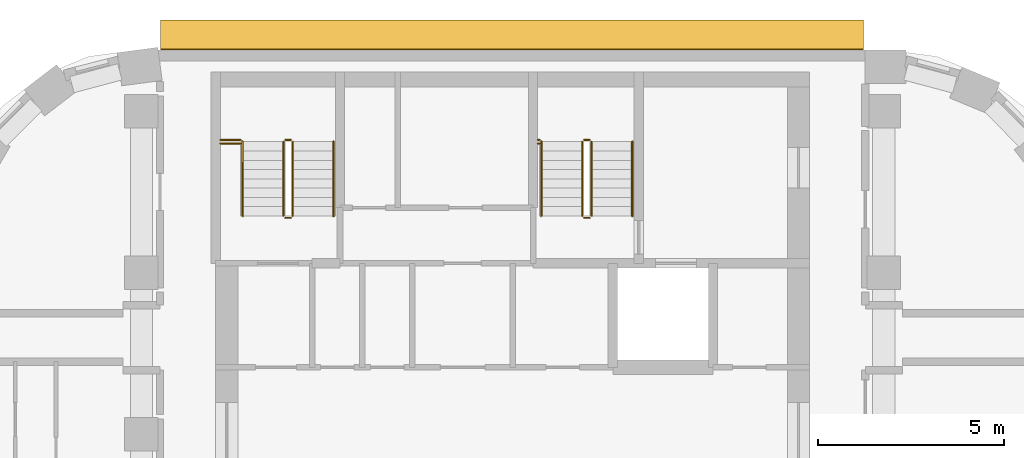
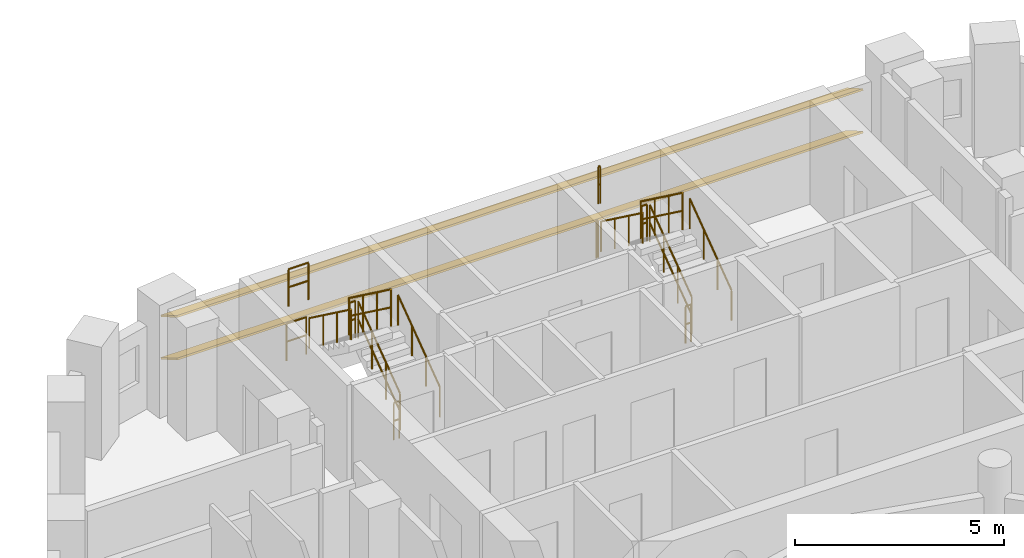
# One storey, part 14 of 14: 16 railings, 2 shading devices.
"""IFC4 building model written with IfcOpenShell, lengths in metres."""

from ifc_helpers import new_model, si_unit, direction, frame, origin, origin_2d, place, context, subcontext, project, spatial, rectangle, circle, extrude, material, material_profile, profile_set, type_object, element, save


model = new_model("IFC4")

# Units and contexts
model_context = context("Model", 3, precision=1e-05, world=origin(), true_north=direction((0.0, 1.0)))
body_context = subcontext(model_context, "Body", "Model", "MODEL_VIEW")
ifc_project = project(units=[si_unit("LENGTHUNIT", "METRE"), si_unit("AREAUNIT", "SQUARE_METRE"), si_unit("VOLUMEUNIT", "CUBIC_METRE"), si_unit("PLANEANGLEUNIT", "RADIAN"), si_unit("MASSUNIT", "GRAM", prefix="KILO")], contexts=[model_context])

# Site, building, storey
site_placement = place(None, origin())
site = spatial("IfcSite", under=ifc_project, at=site_placement, CompositionType="ELEMENT")
building_placement = place(site_placement, origin())
building = spatial("IfcBuilding", under=site, at=building_placement, Name="Nakaniwa Court", CompositionType="ELEMENT")
storey_placement = place(building_placement, frame((0.0, 0.0, 265.800048828125)))
storey = spatial("IfcBuildingStorey", under=building, at=storey_placement, Name="L70", CompositionType="ELEMENT", Elevation=265.800048828125)

# Shading devices
ifc_material_1 = material(Name="Perforated charcoal ceramic louvre blade")
ifc_material_profile = material_profile(ifc_material_1, rectangle(XDim=0.89990234375, YDim=0.050048828125, at=origin_2d()), Name="Perforated ceramic louvre blade")
ifc_profile_set = profile_set([ifc_material_profile], Name="Perforated charcoal ceramic louvre blade")
shading_device_type = type_object("IfcShadingDeviceType", Name="Perforated ceramic louvre blade", PredefinedType="JALOUSIE", material=ifc_profile_set)
for number, where, z_axis, x_axis, name in (
    (1, (89.44921875, 103.05224609375, 0.550048828125), (-1.0, 0.0, 0.0), (0.0, -0.866025403784, 0.5), "L70 perforated ceramic louvre blade w08 1"),
    (2, (89.44921875, 103.05224609375, 1.793212890625), (-1.0, 0.0, 0.0), (0.0, -0.866025403784, 0.5), "L70 perforated ceramic louvre blade w08 2"),
):
    element("IfcShadingDevice", number, at=place(storey_placement, frame(where, z_axis=z_axis, x_axis=x_axis)), inside=storey, type_object=shading_device_type, Name=name, PredefinedType="JALOUSIE", context=body_context, shape_type="SweptSolid", body=[
        extrude(rectangle(XDim=0.89990234375, YDim=0.050048828125, at=origin_2d()), origin(), (0.0, 0.0, 1.0), 18.933349609375),
    ])

# Railings
ifc_material_2 = material(Name="Black powder coated steel guard", Category="steel")
railing_type_1 = type_object("IfcRailingType", Name="Stair guard 1100", PredefinedType="GUARDRAIL", material=ifc_material_2)
railing_1_placement = place(storey_placement, frame((74.074951171875, 98.175048828125, 0.183349609375)))
element("IfcRailing", 3, at=railing_1_placement, inside=storey, type_object=railing_type_1, Name="L70 ST1 stair guard 1", PredefinedType="GUARDRAIL", context=body_context, shape_type="SweptSolid", body=[
    extrude(circle(Radius=0.02392578125, at=origin_2d()), frame((0.0, 0.0, 1.076171875), z_axis=(0.0, 0.806426902644, 0.591333789573), x_axis=(-1.0, 0.0, 0.0)), (0.0, 0.0, 1.0), 2.47998046875),
    extrude(circle(Radius=0.02392578125, at=origin_2d()), frame((0.0, 0.0, 0.550048828125), z_axis=(0.0, 0.806426902644, 0.591333789573), x_axis=(-1.0, 0.0, 0.0)), (0.0, 0.0, 1.0), 2.47998046875),
    extrude(circle(Radius=0.02099609375, at=origin_2d()), origin(), (0.0, 0.0, 1.0), 1.052001953125),
    extrude(circle(Radius=0.02099609375, at=origin_2d()), frame((0.0, 0.666748046875, 0.48876953125)), (0.0, 0.0, 1.0), 1.052001953125),
    extrude(circle(Radius=0.02099609375, at=origin_2d()), frame((0.0, 1.333251953125, 0.977783203125)), (0.0, 0.0, 1.0), 1.052001953125),
    extrude(circle(Radius=0.02099609375, at=origin_2d()), frame((0.0, 2.0, 1.466552734375)), (0.0, 0.0, 1.0), 1.052001953125),
])
railing_2_placement = place(storey_placement, frame((74.02490234375, 100.22509765625, 1.64990234375)))
element("IfcRailing", 4, at=railing_2_placement, inside=storey, type_object=railing_type_1, Name="L70 ST1 stair guard 2", PredefinedType="GUARDRAIL", context=body_context, shape_type="SweptSolid", body=[
    extrude(circle(Radius=0.02392578125, at=origin_2d()), frame((0.0, 0.0, 1.076171875), z_axis=(-1.0, 0.0, 0.0), x_axis=(0.0, -1.0, 0.0)), (0.0, 0.0, 1.0), 0.14990234375),
    extrude(circle(Radius=0.02392578125, at=origin_2d()), frame((0.0, 0.0, 0.550048828125), z_axis=(-1.0, 0.0, 0.0), x_axis=(0.0, -1.0, 0.0)), (0.0, 0.0, 1.0), 0.14990234375),
    extrude(circle(Radius=0.02099609375, at=origin_2d()), origin(), (0.0, 0.0, 1.0), 1.052001953125),
    extrude(circle(Radius=0.02099609375, at=origin_2d()), frame((-0.14990234375, 0.0, 0.0)), (0.0, 0.0, 1.0), 1.052001953125),
])
railing_3_placement = place(storey_placement, frame((73.824951171875, 100.175048828125, 1.833251953125)))
element("IfcRailing", 5, at=railing_3_placement, inside=storey, type_object=railing_type_1, Name="L70 ST1 stair guard 3", PredefinedType="GUARDRAIL", context=body_context, shape_type="SweptSolid", body=[
    extrude(circle(Radius=0.02392578125, at=origin_2d()), frame((0.0, 0.0, 1.076171875), z_axis=(0.0, -0.806379959628, 0.591397802423), x_axis=(1.0, 0.0, 0.0)), (0.0, 0.0, 1.0), 2.480224609375),
    extrude(circle(Radius=0.02392578125, at=origin_2d()), frame((0.0, 0.0, 0.550048828125), z_axis=(0.0, -0.806379959628, 0.591397802423), x_axis=(1.0, 0.0, 0.0)), (0.0, 0.0, 1.0), 2.480224609375),
    extrude(circle(Radius=0.02099609375, at=origin_2d()), origin(), (0.0, 0.0, 1.0), 1.052001953125),
    extrude(circle(Radius=0.02099609375, at=origin_2d()), frame((0.0, -0.666748046875, 0.489013671875)), (0.0, 0.0, 1.0), 1.052001953125),
    extrude(circle(Radius=0.02099609375, at=origin_2d()), frame((0.0, -1.333251953125, 0.977783203125)), (0.0, 0.0, 1.0), 1.052001953125),
    extrude(circle(Radius=0.02099609375, at=origin_2d()), frame((0.0, -2.0, 1.466796875)), (0.0, 0.0, 1.0), 1.052001953125),
])
railing_4_placement = place(storey_placement, frame((74.02490234375, 98.125, 0.0)))
element("IfcRailing", 6, at=railing_4_placement, inside=storey, type_object=railing_type_1, Name="L70 ST1 stair guard 4", PredefinedType="GUARDRAIL", context=body_context, shape_type="SweptSolid", body=[
    extrude(circle(Radius=0.02392578125, at=origin_2d()), frame((0.0, 0.0, 1.076171875), z_axis=(-1.0, 0.0, 0.0), x_axis=(0.0, -1.0, 0.0)), (0.0, 0.0, 1.0), 0.14990234375),
    extrude(circle(Radius=0.02392578125, at=origin_2d()), frame((0.0, 0.0, 0.550048828125), z_axis=(-1.0, 0.0, 0.0), x_axis=(0.0, -1.0, 0.0)), (0.0, 0.0, 1.0), 0.14990234375),
    extrude(circle(Radius=0.02099609375, at=origin_2d()), origin(), (0.0, 0.0, 1.0), 1.052001953125),
    extrude(circle(Radius=0.02099609375, at=origin_2d()), frame((-0.14990234375, 0.0, 0.0)), (0.0, 0.0, 1.0), 1.052001953125),
])
for number, where, name in (
    (7, (72.125, 100.22509765625, 1.64990234375), "L70 ST1 landing side guard 1W"),
    (8, (72.125, 100.125, 3.300048828125), "L70 ST1 floor edge guard 1W"),
):
    element("IfcRailing", number, at=place(storey_placement, frame(where)), inside=storey, type_object=railing_type_1, Name=name, PredefinedType="GUARDRAIL", context=body_context, shape_type="SweptSolid", body=[
        extrude(circle(Radius=0.02392578125, at=origin_2d()), frame((0.0, 0.0, 1.076171875), z_axis=(1.0, 0.0, 0.0), x_axis=(0.0, 1.0, 0.0)), (0.0, 0.0, 1.0), 0.550048828125),
        extrude(circle(Radius=0.02392578125, at=origin_2d()), frame((0.0, 0.0, 0.550048828125), z_axis=(1.0, 0.0, 0.0), x_axis=(0.0, 1.0, 0.0)), (0.0, 0.0, 1.0), 0.550048828125),
        extrude(circle(Radius=0.02099609375, at=origin_2d()), origin(), (0.0, 0.0, 1.0), 1.052001953125),
        extrude(circle(Radius=0.02099609375, at=origin_2d()), frame((0.550048828125, 0.0, 0.0)), (0.0, 0.0, 1.0), 1.052001953125),
    ])
railing_5_placement = place(storey_placement, frame((82.125, 98.175048828125, 0.183349609375)))
element("IfcRailing", 9, at=railing_5_placement, inside=storey, type_object=railing_type_1, Name="L70 ST2 stair guard 1", PredefinedType="GUARDRAIL", context=body_context, shape_type="SweptSolid", body=[
    extrude(circle(Radius=0.02392578125, at=origin_2d()), frame((0.0, 0.0, 1.076171875), z_axis=(0.0, 0.806426902644, 0.591333789573), x_axis=(-1.0, 0.0, 0.0)), (0.0, 0.0, 1.0), 2.47998046875),
    extrude(circle(Radius=0.02392578125, at=origin_2d()), frame((0.0, 0.0, 0.550048828125), z_axis=(0.0, 0.806426902644, 0.591333789573), x_axis=(-1.0, 0.0, 0.0)), (0.0, 0.0, 1.0), 2.47998046875),
    extrude(circle(Radius=0.02099609375, at=origin_2d()), origin(), (0.0, 0.0, 1.0), 1.052001953125),
    extrude(circle(Radius=0.02099609375, at=origin_2d()), frame((0.0, 0.666748046875, 0.48876953125)), (0.0, 0.0, 1.0), 1.052001953125),
    extrude(circle(Radius=0.02099609375, at=origin_2d()), frame((0.0, 1.333251953125, 0.977783203125)), (0.0, 0.0, 1.0), 1.052001953125),
    extrude(circle(Radius=0.02099609375, at=origin_2d()), frame((0.0, 2.0, 1.466552734375)), (0.0, 0.0, 1.0), 1.052001953125),
])
railing_6_placement = place(storey_placement, frame((82.074951171875, 100.22509765625, 1.64990234375)))
element("IfcRailing", 10, at=railing_6_placement, inside=storey, type_object=railing_type_1, Name="L70 ST2 stair guard 2", PredefinedType="GUARDRAIL", context=body_context, shape_type="SweptSolid", body=[
    extrude(circle(Radius=0.02392578125, at=origin_2d()), frame((0.0, 0.0, 1.076171875), z_axis=(-1.0, 0.0, 0.0), x_axis=(0.0, -1.0, 0.0)), (0.0, 0.0, 1.0), 0.14990234375),
    extrude(circle(Radius=0.02392578125, at=origin_2d()), frame((0.0, 0.0, 0.550048828125), z_axis=(-1.0, 0.0, 0.0), x_axis=(0.0, -1.0, 0.0)), (0.0, 0.0, 1.0), 0.14990234375),
    extrude(circle(Radius=0.02099609375, at=origin_2d()), origin(), (0.0, 0.0, 1.0), 1.052001953125),
    extrude(circle(Radius=0.02099609375, at=origin_2d()), frame((-0.14990234375, 0.0, 0.0)), (0.0, 0.0, 1.0), 1.052001953125),
])
railing_7_placement = place(storey_placement, frame((81.875, 100.175048828125, 1.833251953125)))
element("IfcRailing", 11, at=railing_7_placement, inside=storey, type_object=railing_type_1, Name="L70 ST2 stair guard 3", PredefinedType="GUARDRAIL", context=body_context, shape_type="SweptSolid", body=[
    extrude(circle(Radius=0.02392578125, at=origin_2d()), frame((0.0, 0.0, 1.076171875), z_axis=(0.0, -0.806379959628, 0.591397802423), x_axis=(1.0, 0.0, 0.0)), (0.0, 0.0, 1.0), 2.480224609375),
    extrude(circle(Radius=0.02392578125, at=origin_2d()), frame((0.0, 0.0, 0.550048828125), z_axis=(0.0, -0.806379959628, 0.591397802423), x_axis=(1.0, 0.0, 0.0)), (0.0, 0.0, 1.0), 2.480224609375),
    extrude(circle(Radius=0.02099609375, at=origin_2d()), origin(), (0.0, 0.0, 1.0), 1.052001953125),
    extrude(circle(Radius=0.02099609375, at=origin_2d()), frame((0.0, -0.666748046875, 0.489013671875)), (0.0, 0.0, 1.0), 1.052001953125),
    extrude(circle(Radius=0.02099609375, at=origin_2d()), frame((0.0, -1.333251953125, 0.977783203125)), (0.0, 0.0, 1.0), 1.052001953125),
    extrude(circle(Radius=0.02099609375, at=origin_2d()), frame((0.0, -2.0, 1.466796875)), (0.0, 0.0, 1.0), 1.052001953125),
])
railing_8_placement = place(storey_placement, frame((82.074951171875, 98.125, 0.0)))
element("IfcRailing", 12, at=railing_8_placement, inside=storey, type_object=railing_type_1, Name="L70 ST2 stair guard 4", PredefinedType="GUARDRAIL", context=body_context, shape_type="SweptSolid", body=[
    extrude(circle(Radius=0.02392578125, at=origin_2d()), frame((0.0, 0.0, 1.076171875), z_axis=(-1.0, 0.0, 0.0), x_axis=(0.0, -1.0, 0.0)), (0.0, 0.0, 1.0), 0.14990234375),
    extrude(circle(Radius=0.02392578125, at=origin_2d()), frame((0.0, 0.0, 0.550048828125), z_axis=(-1.0, 0.0, 0.0), x_axis=(0.0, -1.0, 0.0)), (0.0, 0.0, 1.0), 0.14990234375),
    extrude(circle(Radius=0.02099609375, at=origin_2d()), origin(), (0.0, 0.0, 1.0), 1.052001953125),
    extrude(circle(Radius=0.02099609375, at=origin_2d()), frame((-0.14990234375, 0.0, 0.0)), (0.0, 0.0, 1.0), 1.052001953125),
])
for number, where, name in (
    (13, (80.675048828125, 100.22509765625, 1.64990234375), "L70 ST2 landing side guard 1W"),
    (14, (80.675048828125, 100.125, 3.300048828125), "L70 ST2 floor edge guard 1W"),
):
    element("IfcRailing", number, at=place(storey_placement, frame(where)), inside=storey, type_object=railing_type_1, Name=name, PredefinedType="GUARDRAIL", context=body_context, shape_type="SweptSolid", body=[
        extrude(circle(Radius=0.02392578125, at=origin_2d()), frame((0.0, 0.0, 1.076171875), z_axis=(1.0, 0.0, 0.0), x_axis=(0.0, 1.0, 0.0)), (0.0, 0.0, 1.0), 0.050048828125),
        extrude(circle(Radius=0.02392578125, at=origin_2d()), frame((0.0, 0.0, 0.550048828125), z_axis=(1.0, 0.0, 0.0), x_axis=(0.0, 1.0, 0.0)), (0.0, 0.0, 1.0), 0.050048828125),
        extrude(circle(Radius=0.02099609375, at=origin_2d()), origin(), (0.0, 0.0, 1.0), 1.052001953125),
        extrude(circle(Radius=0.02099609375, at=origin_2d()), frame((0.050048828125, 0.0, 0.0)), (0.0, 0.0, 1.0), 1.052001953125),
    ])
ifc_material_3 = material(Name="Black powder coated steel handrail", Category="steel")
railing_type_2 = type_object("IfcRailingType", Name="Stair handrail 900", PredefinedType="HANDRAIL", material=ifc_material_3)
railing_9_placement = place(storey_placement, frame((75.175048828125, 98.175048828125, 0.183349609375)))
element("IfcRailing", 15, at=railing_9_placement, inside=storey, type_object=railing_type_2, Name="L70 ST1 stair handrail 1", PredefinedType="HANDRAIL", context=body_context, shape_type="SweptSolid", body=[
    extrude(circle(Radius=0.02392578125, at=origin_2d()), frame((0.0, 0.0, 0.8759765625), z_axis=(0.0, 0.806426902644, 0.591333789573), x_axis=(-1.0, 0.0, 0.0)), (0.0, 0.0, 1.0), 2.47998046875),
    extrude(circle(Radius=0.02099609375, at=origin_2d()), origin(), (0.0, 0.0, 1.0), 0.851806640625),
    extrude(circle(Radius=0.02099609375, at=origin_2d()), frame((0.0, 0.666748046875, 0.48876953125)), (0.0, 0.0, 1.0), 0.851806640625),
    extrude(circle(Radius=0.02099609375, at=origin_2d()), frame((0.0, 1.333251953125, 0.977783203125)), (0.0, 0.0, 1.0), 0.851806640625),
    extrude(circle(Radius=0.02099609375, at=origin_2d()), frame((0.0, 2.0, 1.466552734375)), (0.0, 0.0, 1.0), 0.851806640625),
])
railing_10_placement = place(storey_placement, frame((72.72509765625, 100.175048828125, 1.833251953125)))
element("IfcRailing", 16, at=railing_10_placement, inside=storey, type_object=railing_type_2, Name="L70 ST1 stair handrail 2", PredefinedType="HANDRAIL", context=body_context, shape_type="SweptSolid", body=[
    extrude(circle(Radius=0.02392578125, at=origin_2d()), frame((0.0, 0.0, 0.8759765625), z_axis=(0.0, -0.806379959628, 0.591397802423), x_axis=(1.0, 0.0, 0.0)), (0.0, 0.0, 1.0), 2.480224609375),
    extrude(circle(Radius=0.02099609375, at=origin_2d()), origin(), (0.0, 0.0, 1.0), 0.851806640625),
    extrude(circle(Radius=0.02099609375, at=origin_2d()), frame((0.0, -0.666748046875, 0.489013671875)), (0.0, 0.0, 1.0), 0.851806640625),
    extrude(circle(Radius=0.02099609375, at=origin_2d()), frame((0.0, -1.333251953125, 0.977783203125)), (0.0, 0.0, 1.0), 0.851806640625),
    extrude(circle(Radius=0.02099609375, at=origin_2d()), frame((0.0, -2.0, 1.466796875)), (0.0, 0.0, 1.0), 0.851806640625),
])
railing_11_placement = place(storey_placement, frame((83.22509765625, 98.175048828125, 0.183349609375)))
element("IfcRailing", 17, at=railing_11_placement, inside=storey, type_object=railing_type_2, Name="L70 ST2 stair handrail 1", PredefinedType="HANDRAIL", context=body_context, shape_type="SweptSolid", body=[
    extrude(circle(Radius=0.02392578125, at=origin_2d()), frame((0.0, 0.0, 0.8759765625), z_axis=(0.0, 0.806426902644, 0.591333789573), x_axis=(-1.0, 0.0, 0.0)), (0.0, 0.0, 1.0), 2.47998046875),
    extrude(circle(Radius=0.02099609375, at=origin_2d()), origin(), (0.0, 0.0, 1.0), 0.851806640625),
    extrude(circle(Radius=0.02099609375, at=origin_2d()), frame((0.0, 0.666748046875, 0.48876953125)), (0.0, 0.0, 1.0), 0.851806640625),
    extrude(circle(Radius=0.02099609375, at=origin_2d()), frame((0.0, 1.333251953125, 0.977783203125)), (0.0, 0.0, 1.0), 0.851806640625),
    extrude(circle(Radius=0.02099609375, at=origin_2d()), frame((0.0, 2.0, 1.466552734375)), (0.0, 0.0, 1.0), 0.851806640625),
])
railing_12_placement = place(storey_placement, frame((80.77490234375, 100.175048828125, 1.833251953125)))
element("IfcRailing", 18, at=railing_12_placement, inside=storey, type_object=railing_type_2, Name="L70 ST2 stair handrail 2", PredefinedType="HANDRAIL", context=body_context, shape_type="SweptSolid", body=[
    extrude(circle(Radius=0.02392578125, at=origin_2d()), frame((0.0, 0.0, 0.8759765625), z_axis=(0.0, -0.806379959628, 0.591397802423), x_axis=(1.0, 0.0, 0.0)), (0.0, 0.0, 1.0), 2.480224609375),
    extrude(circle(Radius=0.02099609375, at=origin_2d()), origin(), (0.0, 0.0, 1.0), 0.851806640625),
    extrude(circle(Radius=0.02099609375, at=origin_2d()), frame((0.0, -0.666748046875, 0.489013671875)), (0.0, 0.0, 1.0), 0.851806640625),
    extrude(circle(Radius=0.02099609375, at=origin_2d()), frame((0.0, -1.333251953125, 0.977783203125)), (0.0, 0.0, 1.0), 0.851806640625),
    extrude(circle(Radius=0.02099609375, at=origin_2d()), frame((0.0, -2.0, 1.466796875)), (0.0, 0.0, 1.0), 0.851806640625),
])

save(model, "model.ifc")
